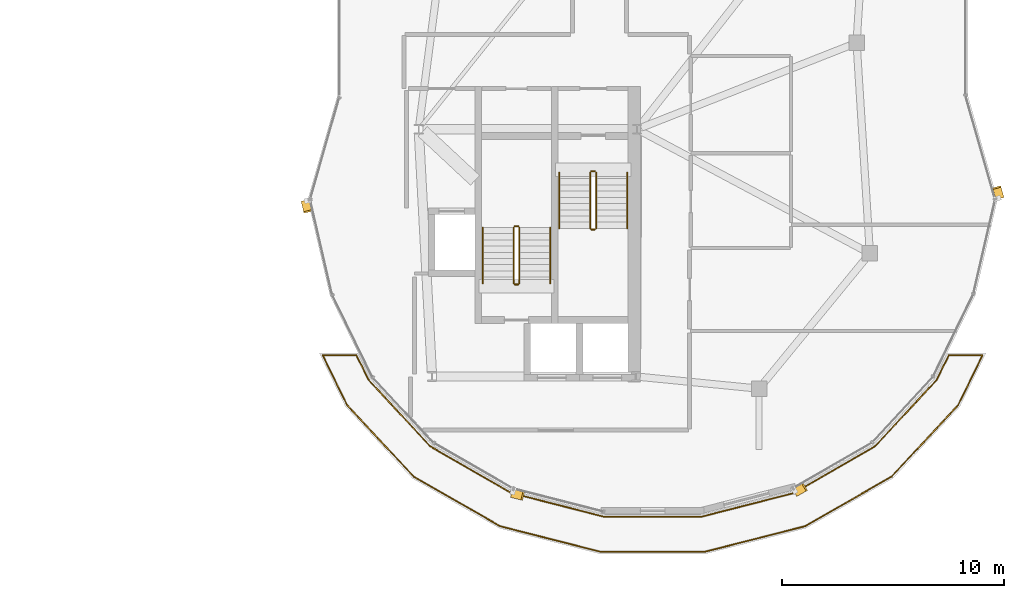
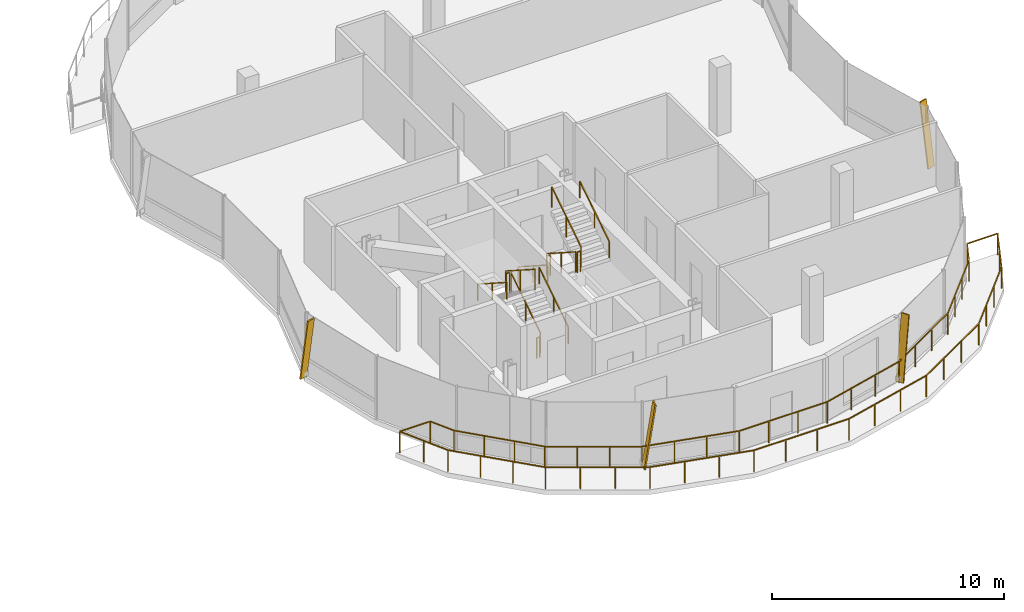
# One storey, part 19 of 20: 22 railings, 4 shading devices.
"""IFC4 building model written with IfcOpenShell, lengths in metres."""

from ifc_helpers import new_model, si_unit, direction, frame, origin, origin_2d, place, context, subcontext, project, spatial, rectangle, extrude, material, material_profile, profile_set, type_object, element, save


model = new_model("IFC4")

# Units and contexts
model_context = context("Model", 3, precision=1e-05, world=origin(), true_north=direction((0.0, 1.0)))
body_context = subcontext(model_context, "Body", "Model", "MODEL_VIEW")
ifc_project = project(units=[si_unit("LENGTHUNIT", "METRE"), si_unit("AREAUNIT", "SQUARE_METRE"), si_unit("VOLUMEUNIT", "CUBIC_METRE"), si_unit("PLANEANGLEUNIT", "RADIAN"), si_unit("MASSUNIT", "GRAM", prefix="KILO"), si_unit("THERMODYNAMICTEMPERATUREUNIT", "KELVIN"), si_unit("POWERUNIT", "WATT")], contexts=[model_context])

# Site, building, storey
site_placement = place(None, origin())
site = spatial("IfcSite", under=ifc_project, at=site_placement, CompositionType="ELEMENT")
building_placement = place(site_placement, origin())
building = spatial("IfcBuilding", under=site, at=building_placement, Name="Cundina Bronze Exchange", CompositionType="ELEMENT")
storey_placement = place(building_placement, frame((0.0, 0.0, 279.199951171875)))
storey = spatial("IfcBuildingStorey", under=building, at=storey_placement, Name="L74", CompositionType="ELEMENT", Elevation=279.199951171875)

# Railings
ifc_material_1 = material(Name="Anodised Bronze Aluminium 6063-T6", Category="aluminium")
railing_type_1 = type_object("IfcRailingType", Name="RLG-GRD-1150", PredefinedType="GUARDRAIL", material=ifc_material_1)
railing_1_placement = place(storey_placement, frame((45.775634765625, -16.34765625, 0.0)))
element("IfcRailing", 1, at=railing_1_placement, inside=storey, type_object=railing_type_1, Name="L74 Perimeter Safety Guardrail 01", PredefinedType="GUARDRAIL", context=body_context, shape_type="SweptSolid", body=[
    extrude(rectangle(XDim=0.048095703125, YDim=0.048095703125, at=origin_2d()), frame((0.0, 0.0, 1.1259765625), z_axis=(-0.6814708466, -0.731845260444, 0.0), x_axis=(0.731845260444, -0.6814708466, 0.0)), (0.0, 0.0, 1.0), 4.395751953125),
    extrude(rectangle(XDim=0.048095703125, YDim=0.048095703125, at=origin_2d()), frame((-2.99560546875, -3.217041015625, 1.1259765625), z_axis=(-0.867447732917, -0.497528321462, 0.0), x_axis=(0.497528321462, -0.867447732917, 0.0)), (0.0, 0.0, 1.0), 4.501708984375),
    extrude(rectangle(XDim=0.0419921875, YDim=0.0419921875, at=origin_2d()), origin(), (0.0, 0.0, 1.0), 1.101806640625),
    extrude(rectangle(XDim=0.0419921875, YDim=0.0419921875, at=origin_2d()), frame((-0.99853515625, -1.072265625, 0.0)), (0.0, 0.0, 1.0), 1.101806640625),
    extrude(rectangle(XDim=0.0419921875, YDim=0.0419921875, at=origin_2d()), frame((-1.9970703125, -2.144775390625, 0.0)), (0.0, 0.0, 1.0), 1.101806640625),
    extrude(rectangle(XDim=0.0419921875, YDim=0.0419921875, at=origin_2d()), frame((-2.99560546875, -3.217041015625, 0.0)), (0.0, 0.0, 1.0), 1.101806640625),
    extrude(rectangle(XDim=0.0419921875, YDim=0.0419921875, at=origin_2d()), frame((-4.29736328125, -3.963623046875, 0.0)), (0.0, 0.0, 1.0), 1.101806640625),
    extrude(rectangle(XDim=0.0419921875, YDim=0.0419921875, at=origin_2d()), frame((-5.598876953125, -4.710205078125, 0.0)), (0.0, 0.0, 1.0), 1.101806640625),
    extrude(rectangle(XDim=0.0419921875, YDim=0.0419921875, at=origin_2d()), frame((-6.900634765625, -5.456787109375, 0.0)), (0.0, 0.0, 1.0), 1.101806640625),
])
railing_2_placement = place(storey_placement, frame((38.875, -21.804443359375, 0.0)))
element("IfcRailing", 2, at=railing_2_placement, inside=storey, type_object=railing_type_1, Name="L74 Perimeter Safety Guardrail 02", PredefinedType="GUARDRAIL", context=body_context, shape_type="SweptSolid", body=[
    extrude(rectangle(XDim=0.048095703125, YDim=0.048095703125, at=origin_2d()), frame((0.0, 0.0, 1.1259765625), z_axis=(-0.969056834208, -0.246837703916, 0.0), x_axis=(0.246837703916, -0.969056834208, 0.0)), (0.0, 0.0, 1.0), 4.657470703125),
    extrude(rectangle(XDim=0.048095703125, YDim=0.048095703125, at=origin_2d()), frame((-4.513427734375, -1.149658203125, 1.1259765625), z_axis=(-1.0, 0.0, 0.0), x_axis=(0.0, -1.0, 0.0)), (0.0, 0.0, 1.0), 4.72314453125),
    extrude(rectangle(XDim=0.0419921875, YDim=0.0419921875, at=origin_2d()), origin(), (0.0, 0.0, 1.0), 1.101806640625),
    extrude(rectangle(XDim=0.0419921875, YDim=0.0419921875, at=origin_2d()), frame((-1.50439453125, -0.38330078125, 0.0)), (0.0, 0.0, 1.0), 1.101806640625),
    extrude(rectangle(XDim=0.0419921875, YDim=0.0419921875, at=origin_2d()), frame((-3.009033203125, -0.766357421875, 0.0)), (0.0, 0.0, 1.0), 1.101806640625),
    extrude(rectangle(XDim=0.0419921875, YDim=0.0419921875, at=origin_2d()), frame((-4.513427734375, -1.149658203125, 0.0)), (0.0, 0.0, 1.0), 1.101806640625),
    extrude(rectangle(XDim=0.0419921875, YDim=0.0419921875, at=origin_2d()), frame((-6.087890625, -1.149658203125, 0.0)), (0.0, 0.0, 1.0), 1.101806640625),
    extrude(rectangle(XDim=0.0419921875, YDim=0.0419921875, at=origin_2d()), frame((-7.662109375, -1.149658203125, 0.0)), (0.0, 0.0, 1.0), 1.101806640625),
    extrude(rectangle(XDim=0.0419921875, YDim=0.0419921875, at=origin_2d()), frame((-9.236572265625, -1.149658203125, 0.0)), (0.0, 0.0, 1.0), 1.101806640625),
])
railing_3_placement = place(storey_placement, frame((29.638427734375, -22.9541015625, 0.0)))
element("IfcRailing", 3, at=railing_3_placement, inside=storey, type_object=railing_type_1, Name="L74 Perimeter Safety Guardrail 03", PredefinedType="GUARDRAIL", context=body_context, shape_type="SweptSolid", body=[
    extrude(rectangle(XDim=0.048095703125, YDim=0.048095703125, at=origin_2d()), frame((0.0, 0.0, 1.1259765625), z_axis=(-0.969056834208, 0.246837703916, 0.0), x_axis=(-0.246837703916, -0.969056834208, 0.0)), (0.0, 0.0, 1.0), 4.657470703125),
    extrude(rectangle(XDim=0.048095703125, YDim=0.048095703125, at=origin_2d()), frame((-4.513427734375, 1.149658203125, 1.1259765625), z_axis=(-0.867447732917, 0.497528321462, 0.0), x_axis=(-0.497528321462, -0.867447732917, 0.0)), (0.0, 0.0, 1.0), 4.501708984375),
    extrude(rectangle(XDim=0.0419921875, YDim=0.0419921875, at=origin_2d()), origin(), (0.0, 0.0, 1.0), 1.101806640625),
    extrude(rectangle(XDim=0.0419921875, YDim=0.0419921875, at=origin_2d()), frame((-1.50439453125, 0.38330078125, 0.0)), (0.0, 0.0, 1.0), 1.101806640625),
    extrude(rectangle(XDim=0.0419921875, YDim=0.0419921875, at=origin_2d()), frame((-3.009033203125, 0.766357421875, 0.0)), (0.0, 0.0, 1.0), 1.101806640625),
    extrude(rectangle(XDim=0.0419921875, YDim=0.0419921875, at=origin_2d()), frame((-4.513427734375, 1.149658203125, 0.0)), (0.0, 0.0, 1.0), 1.101806640625),
    extrude(rectangle(XDim=0.0419921875, YDim=0.0419921875, at=origin_2d()), frame((-5.815185546875, 1.896240234375, 0.0)), (0.0, 0.0, 1.0), 1.101806640625),
    extrude(rectangle(XDim=0.0419921875, YDim=0.0419921875, at=origin_2d()), frame((-7.11669921875, 2.642822265625, 0.0)), (0.0, 0.0, 1.0), 1.101806640625),
    extrude(rectangle(XDim=0.0419921875, YDim=0.0419921875, at=origin_2d()), frame((-8.41845703125, 3.389404296875, 0.0)), (0.0, 0.0, 1.0), 1.101806640625),
])
railing_4_placement = place(storey_placement, frame((21.219970703125, -19.564697265625, 0.0)))
element("IfcRailing", 4, at=railing_4_placement, inside=storey, type_object=railing_type_1, Name="L74 Perimeter Safety Guardrail 04", PredefinedType="GUARDRAIL", context=body_context, shape_type="SweptSolid", body=[
    extrude(rectangle(XDim=0.048095703125, YDim=0.048095703125, at=origin_2d()), frame((0.0, 0.0, 1.1259765625), z_axis=(-0.6814708466, 0.731845260444, 0.0), x_axis=(-0.731845260444, -0.6814708466, 0.0)), (0.0, 0.0, 1.0), 4.395751953125),
    extrude(rectangle(XDim=0.048095703125, YDim=0.048095703125, at=origin_2d()), frame((-2.99560546875, 3.217041015625, 1.1259765625), z_axis=(-0.439469116008, 0.898257700259, 0.0), x_axis=(-0.898257700259, -0.439469116008, 0.0)), (0.0, 0.0, 1.0), 2.502197265625),
    extrude(rectangle(XDim=0.0419921875, YDim=0.0419921875, at=origin_2d()), origin(), (0.0, 0.0, 1.0), 1.101806640625),
    extrude(rectangle(XDim=0.0419921875, YDim=0.0419921875, at=origin_2d()), frame((-0.99853515625, 1.072265625, 0.0)), (0.0, 0.0, 1.0), 1.101806640625),
    extrude(rectangle(XDim=0.0419921875, YDim=0.0419921875, at=origin_2d()), frame((-1.9970703125, 2.144775390625, 0.0)), (0.0, 0.0, 1.0), 1.101806640625),
    extrude(rectangle(XDim=0.0419921875, YDim=0.0419921875, at=origin_2d()), frame((-2.99560546875, 3.217041015625, 0.0)), (0.0, 0.0, 1.0), 1.101806640625),
    extrude(rectangle(XDim=0.0419921875, YDim=0.0419921875, at=origin_2d()), frame((-3.54541015625, 4.3408203125, 0.0)), (0.0, 0.0, 1.0), 1.101806640625),
    extrude(rectangle(XDim=0.0419921875, YDim=0.0419921875, at=origin_2d()), frame((-4.09521484375, 5.464599609375, 0.0)), (0.0, 0.0, 1.0), 1.101806640625),
])
railing_5_placement = place(storey_placement, frame((17.124755859375, -14.10009765625, 0.0)))
element("IfcRailing", 5, at=railing_5_placement, inside=storey, type_object=railing_type_1, Name="L74 Perimeter Safety Guardrail 05", PredefinedType="GUARDRAIL", context=body_context, shape_type="SweptSolid", body=[
    extrude(rectangle(XDim=0.048095703125, YDim=0.048095703125, at=origin_2d()), frame((0.0, 0.0, 1.1259765625), z_axis=(1.0, 0.0, 0.0), x_axis=(0.0, 1.0, 0.0)), (0.0, 0.0, 1.0), 1.5185546875),
    extrude(rectangle(XDim=0.048095703125, YDim=0.048095703125, at=origin_2d()), frame((1.5185546875, 0.0, 1.1259765625), z_axis=(0.441657034824, -0.89718396307, 0.0), x_axis=(0.89718396307, 0.441657034824, 0.0)), (0.0, 0.0, 1.0), 1.232177734375),
    extrude(rectangle(XDim=0.0419921875, YDim=0.0419921875, at=origin_2d()), origin(), (0.0, 0.0, 1.0), 1.101806640625),
    extrude(rectangle(XDim=0.0419921875, YDim=0.0419921875, at=origin_2d()), frame((1.5185546875, 0.0, 0.0)), (0.0, 0.0, 1.0), 1.101806640625),
    extrude(rectangle(XDim=0.0419921875, YDim=0.0419921875, at=origin_2d()), frame((2.062744140625, -1.10546875, 0.0)), (0.0, 0.0, 1.0), 1.101806640625),
])
railing_6_placement = place(storey_placement, frame((19.1875, -15.20556640625, 0.0)))
element("IfcRailing", 6, at=railing_6_placement, inside=storey, type_object=railing_type_1, Name="L74 Perimeter Safety Guardrail 06", PredefinedType="GUARDRAIL", context=body_context, shape_type="SweptSolid", body=[
    extrude(rectangle(XDim=0.048095703125, YDim=0.048095703125, at=origin_2d()), frame((0.0, 0.0, 1.1259765625), z_axis=(0.680512906309, -0.732736094611, 0.0), x_axis=(0.732736094611, 0.680512906309, 0.0)), (0.0, 0.0, 1.0), 4.090576171875),
    extrude(rectangle(XDim=0.048095703125, YDim=0.048095703125, at=origin_2d()), frame((2.78369140625, -2.997314453125, 1.1259765625), z_axis=(0.866055627774, -0.49994764686, 0.0), x_axis=(0.49994764686, 0.866055627774, 0.0)), (0.0, 0.0, 1.0), 4.19189453125),
    extrude(rectangle(XDim=0.0419921875, YDim=0.0419921875, at=origin_2d()), origin(), (0.0, 0.0, 1.0), 1.101806640625),
    extrude(rectangle(XDim=0.0419921875, YDim=0.0419921875, at=origin_2d()), frame((0.927978515625, -0.9990234375, 0.0)), (0.0, 0.0, 1.0), 1.101806640625),
    extrude(rectangle(XDim=0.0419921875, YDim=0.0419921875, at=origin_2d()), frame((1.855712890625, -1.998291015625, 0.0)), (0.0, 0.0, 1.0), 1.101806640625),
    extrude(rectangle(XDim=0.0419921875, YDim=0.0419921875, at=origin_2d()), frame((2.78369140625, -2.997314453125, 0.0)), (0.0, 0.0, 1.0), 1.101806640625),
    extrude(rectangle(XDim=0.0419921875, YDim=0.0419921875, at=origin_2d()), frame((3.993896484375, -3.69580078125, 0.0)), (0.0, 0.0, 1.0), 1.101806640625),
    extrude(rectangle(XDim=0.0419921875, YDim=0.0419921875, at=origin_2d()), frame((5.203857421875, -4.39453125, 0.0)), (0.0, 0.0, 1.0), 1.101806640625),
    extrude(rectangle(XDim=0.0419921875, YDim=0.0419921875, at=origin_2d()), frame((6.4140625, -5.093017578125, 0.0)), (0.0, 0.0, 1.0), 1.101806640625),
])
railing_7_placement = place(storey_placement, frame((25.6015625, -20.298583984375, 0.0)))
element("IfcRailing", 7, at=railing_7_placement, inside=storey, type_object=railing_type_1, Name="L74 Perimeter Safety Guardrail 07", PredefinedType="GUARDRAIL", context=body_context, shape_type="SweptSolid", body=[
    extrude(rectangle(XDim=0.048095703125, YDim=0.048095703125, at=origin_2d()), frame((0.0, 0.0, 1.1259765625), z_axis=(0.968635825171, -0.248484684025, 0.0), x_axis=(0.248484684025, 0.968635825171, 0.0)), (0.0, 0.0, 1.0), 4.3515625),
    extrude(rectangle(XDim=0.048095703125, YDim=0.048095703125, at=origin_2d()), frame((4.215087890625, -1.081298828125, 1.1259765625), z_axis=(0.999999985988, 0.00016740137, 0.0), x_axis=(-0.00016740137, 0.999999985988, 0.0)), (0.0, 0.0, 1.0), 4.375244140625),
    extrude(rectangle(XDim=0.0419921875, YDim=0.0419921875, at=origin_2d()), origin(), (0.0, 0.0, 1.0), 1.101806640625),
    extrude(rectangle(XDim=0.0419921875, YDim=0.0419921875, at=origin_2d()), frame((1.405029296875, -0.3603515625, 0.0)), (0.0, 0.0, 1.0), 1.101806640625),
    extrude(rectangle(XDim=0.0419921875, YDim=0.0419921875, at=origin_2d()), frame((2.81005859375, -0.720947265625, 0.0)), (0.0, 0.0, 1.0), 1.101806640625),
    extrude(rectangle(XDim=0.0419921875, YDim=0.0419921875, at=origin_2d()), frame((4.215087890625, -1.081298828125, 0.0)), (0.0, 0.0, 1.0), 1.101806640625),
    extrude(rectangle(XDim=0.0419921875, YDim=0.0419921875, at=origin_2d()), frame((5.673583984375, -1.0810546875, 0.0)), (0.0, 0.0, 1.0), 1.101806640625),
    extrude(rectangle(XDim=0.0419921875, YDim=0.0419921875, at=origin_2d()), frame((7.1318359375, -1.080810546875, 0.0)), (0.0, 0.0, 1.0), 1.101806640625),
    extrude(rectangle(XDim=0.0419921875, YDim=0.0419921875, at=origin_2d()), frame((8.59033203125, -1.08056640625, 0.0)), (0.0, 0.0, 1.0), 1.101806640625),
])
railing_8_placement = place(storey_placement, frame((34.19189453125, -21.379150390625, 0.0)))
element("IfcRailing", 8, at=railing_8_placement, inside=storey, type_object=railing_type_1, Name="L74 Perimeter Safety Guardrail 08", PredefinedType="GUARDRAIL", context=body_context, shape_type="SweptSolid", body=[
    extrude(rectangle(XDim=0.048095703125, YDim=0.048095703125, at=origin_2d()), frame((0.0, 0.0, 1.1259765625), z_axis=(0.968729595543, 0.248118864093, 0.0), x_axis=(-0.248118864093, 0.968729595543, 0.0)), (0.0, 0.0, 1.0), 4.328369140625),
    extrude(rectangle(XDim=0.048095703125, YDim=0.048095703125, at=origin_2d()), frame((4.193115234375, 1.073974609375, 1.1259765625), z_axis=(0.86617495788, 0.499740875196, 0.0), x_axis=(-0.499740875196, 0.86617495788, 0.0)), (0.0, 0.0, 1.0), 4.206787109375),
    extrude(rectangle(XDim=0.0419921875, YDim=0.0419921875, at=origin_2d()), origin(), (0.0, 0.0, 1.0), 1.101806640625),
    extrude(rectangle(XDim=0.0419921875, YDim=0.0419921875, at=origin_2d()), frame((1.397705078125, 0.35791015625, 0.0)), (0.0, 0.0, 1.0), 1.101806640625),
    extrude(rectangle(XDim=0.0419921875, YDim=0.0419921875, at=origin_2d()), frame((2.79541015625, 0.716064453125, 0.0)), (0.0, 0.0, 1.0), 1.101806640625),
    extrude(rectangle(XDim=0.0419921875, YDim=0.0419921875, at=origin_2d()), frame((4.193115234375, 1.073974609375, 0.0)), (0.0, 0.0, 1.0), 1.101806640625),
    extrude(rectangle(XDim=0.0419921875, YDim=0.0419921875, at=origin_2d()), frame((5.40771484375, 1.774658203125, 0.0)), (0.0, 0.0, 1.0), 1.101806640625),
    extrude(rectangle(XDim=0.0419921875, YDim=0.0419921875, at=origin_2d()), frame((6.622314453125, 2.4755859375, 0.0)), (0.0, 0.0, 1.0), 1.101806640625),
    extrude(rectangle(XDim=0.0419921875, YDim=0.0419921875, at=origin_2d()), frame((7.8369140625, 3.17626953125, 0.0)), (0.0, 0.0, 1.0), 1.101806640625),
])
railing_9_placement = place(storey_placement, frame((42.02880859375, -18.202880859375, 0.0)))
element("IfcRailing", 9, at=railing_9_placement, inside=storey, type_object=railing_type_1, Name="L74 Perimeter Safety Guardrail 09", PredefinedType="GUARDRAIL", context=body_context, shape_type="SweptSolid", body=[
    extrude(rectangle(XDim=0.048095703125, YDim=0.048095703125, at=origin_2d()), frame((0.0, 0.0, 1.1259765625), z_axis=(0.680512906309, 0.732736094611, 0.0), x_axis=(-0.732736094611, 0.680512906309, 0.0)), (0.0, 0.0, 1.0), 4.090576171875),
    extrude(rectangle(XDim=0.048095703125, YDim=0.048095703125, at=origin_2d()), frame((2.78369140625, 2.997314453125, 1.1259765625), z_axis=(0.441657034824, 0.89718396307, 0.0), x_axis=(-0.89718396307, 0.441657034824, 0.0)), (0.0, 0.0, 1.0), 1.232177734375),
    extrude(rectangle(XDim=0.0419921875, YDim=0.0419921875, at=origin_2d()), origin(), (0.0, 0.0, 1.0), 1.101806640625),
    extrude(rectangle(XDim=0.0419921875, YDim=0.0419921875, at=origin_2d()), frame((0.927978515625, 0.9990234375, 0.0)), (0.0, 0.0, 1.0), 1.101806640625),
    extrude(rectangle(XDim=0.0419921875, YDim=0.0419921875, at=origin_2d()), frame((1.855712890625, 1.998291015625, 0.0)), (0.0, 0.0, 1.0), 1.101806640625),
    extrude(rectangle(XDim=0.0419921875, YDim=0.0419921875, at=origin_2d()), frame((2.78369140625, 2.997314453125, 0.0)), (0.0, 0.0, 1.0), 1.101806640625),
    extrude(rectangle(XDim=0.0419921875, YDim=0.0419921875, at=origin_2d()), frame((3.327880859375, 4.102783203125, 0.0)), (0.0, 0.0, 1.0), 1.101806640625),
])
railing_10_placement = place(storey_placement, frame((45.356689453125, -14.10009765625, 0.0)))
element("IfcRailing", 10, at=railing_10_placement, inside=storey, type_object=railing_type_1, Name="L74 Perimeter Safety Guardrail 10", PredefinedType="GUARDRAIL", context=body_context, shape_type="SweptSolid", body=[
    extrude(rectangle(XDim=0.048095703125, YDim=0.048095703125, at=origin_2d()), frame((0.0, 0.0, 1.1259765625), z_axis=(1.0, 0.0, 0.0), x_axis=(0.0, 1.0, 0.0)), (0.0, 0.0, 1.0), 1.5185546875),
    extrude(rectangle(XDim=0.048095703125, YDim=0.048095703125, at=origin_2d()), frame((1.5185546875, 0.0, 1.1259765625), z_axis=(-0.439469116008, -0.898257700259, 0.0), x_axis=(0.898257700259, -0.439469116008, 0.0)), (0.0, 0.0, 1.0), 2.502197265625),
    extrude(rectangle(XDim=0.0419921875, YDim=0.0419921875, at=origin_2d()), origin(), (0.0, 0.0, 1.0), 1.101806640625),
    extrude(rectangle(XDim=0.0419921875, YDim=0.0419921875, at=origin_2d()), frame((1.5185546875, 0.0, 0.0)), (0.0, 0.0, 1.0), 1.101806640625),
    extrude(rectangle(XDim=0.0419921875, YDim=0.0419921875, at=origin_2d()), frame((0.96875, -1.123779296875, 0.0)), (0.0, 0.0, 1.0), 1.101806640625),
    extrude(rectangle(XDim=0.0419921875, YDim=0.0419921875, at=origin_2d()), frame((0.4189453125, -2.24755859375, 0.0)), (0.0, 0.0, 1.0), 1.101806640625),
])
ifc_material_2 = material(Name="Steel ASTM A36 Painted", Category="steel")
railing_type_2 = type_object("IfcRailingType", Name="RLG-HND-900", PredefinedType="HANDRAIL", material=ifc_material_2)
railing_11_placement = place(storey_placement, frame((27.7900390625, -5.85009765625, 0.179931640625)))
element("IfcRailing", 11, at=railing_11_placement, inside=storey, type_object=railing_type_2, Name="L74 ST-E1 stair handrail 1", PredefinedType="HANDRAIL", context=body_context, shape_type="SweptSolid", body=[
    extrude(rectangle(XDim=0.048095703125, YDim=0.048095703125, at=origin_2d()), frame((0.0, 0.0, 0.8759765625), z_axis=(0.0, -0.841162588446, 0.540782303519), x_axis=(1.0, 0.0, 0.0)), (0.0, 0.0, 1.0), 2.995849609375),
    extrude(rectangle(XDim=0.0419921875, YDim=0.0419921875, at=origin_2d()), origin(), (0.0, 0.0, 1.0), 0.851806640625),
    extrude(rectangle(XDim=0.0419921875, YDim=0.0419921875, at=origin_2d()), frame((0.0, -1.260009765625, 0.81005859375)), (0.0, 0.0, 1.0), 0.851806640625),
    extrude(rectangle(XDim=0.0419921875, YDim=0.0419921875, at=origin_2d()), frame((0.0, -2.52001953125, 1.6201171875)), (0.0, 0.0, 1.0), 0.851806640625),
])
for number, where, name in (
    (12, (30.85009765625, -8.3701171875, 1.97998046875), "L74 ST-E1 stair handrail 2"),
    (13, (27.389892578125, -10.85009765625, 0.179931640625), "L74 ST-E2 stair handrail 1"),
):
    element("IfcRailing", number, at=place(storey_placement, frame(where)), inside=storey, type_object=railing_type_2, Name=name, PredefinedType="HANDRAIL", context=body_context, shape_type="SweptSolid", body=[
        extrude(rectangle(XDim=0.048095703125, YDim=0.048095703125, at=origin_2d()), frame((0.0, 0.0, 0.8759765625), z_axis=(0.0, 0.841162588446, 0.540782303519), x_axis=(-1.0, 0.0, 0.0)), (0.0, 0.0, 1.0), 2.995849609375),
        extrude(rectangle(XDim=0.0419921875, YDim=0.0419921875, at=origin_2d()), origin(), (0.0, 0.0, 1.0), 0.851806640625),
        extrude(rectangle(XDim=0.0419921875, YDim=0.0419921875, at=origin_2d()), frame((0.0, 1.260009765625, 0.81005859375)), (0.0, 0.0, 1.0), 0.851806640625),
        extrude(rectangle(XDim=0.0419921875, YDim=0.0419921875, at=origin_2d()), frame((0.0, 2.52001953125, 1.6201171875)), (0.0, 0.0, 1.0), 0.851806640625),
    ])
railing_12_placement = place(storey_placement, frame((24.330078125, -8.330078125, 1.97998046875)))
element("IfcRailing", 14, at=railing_12_placement, inside=storey, type_object=railing_type_2, Name="L74 ST-E2 stair handrail 2", PredefinedType="HANDRAIL", context=body_context, shape_type="SweptSolid", body=[
    extrude(rectangle(XDim=0.048095703125, YDim=0.048095703125, at=origin_2d()), frame((0.0, 0.0, 0.8759765625), z_axis=(0.0, -0.841162588446, 0.540782303519), x_axis=(1.0, 0.0, 0.0)), (0.0, 0.0, 1.0), 2.995849609375),
    extrude(rectangle(XDim=0.0419921875, YDim=0.0419921875, at=origin_2d()), origin(), (0.0, 0.0, 1.0), 0.851806640625),
    extrude(rectangle(XDim=0.0419921875, YDim=0.0419921875, at=origin_2d()), frame((0.0, -1.260009765625, 0.81005859375)), (0.0, 0.0, 1.0), 0.851806640625),
    extrude(rectangle(XDim=0.0419921875, YDim=0.0419921875, at=origin_2d()), frame((0.0, -2.52001953125, 1.6201171875)), (0.0, 0.0, 1.0), 0.851806640625),
])
railing_type_3 = type_object("IfcRailingType", Name="RLG-STG-1100", PredefinedType="GUARDRAIL", material=ifc_material_2)
railing_13_placement = place(storey_placement, frame((29.18994140625, -5.85009765625, 0.179931640625)))
element("IfcRailing", 15, at=railing_13_placement, inside=storey, type_object=railing_type_3, Name="L74 ST-E1 stair guard 1", PredefinedType="GUARDRAIL", context=body_context, shape_type="SweptSolid", body=[
    extrude(rectangle(XDim=0.048095703125, YDim=0.048095703125, at=origin_2d()), frame((0.0, 0.0, 1.076171875), z_axis=(0.0, -0.841162588446, 0.540782303519), x_axis=(1.0, 0.0, 0.0)), (0.0, 0.0, 1.0), 2.995849609375),
    extrude(rectangle(XDim=0.0419921875, YDim=0.0419921875, at=origin_2d()), origin(), (0.0, 0.0, 1.0), 1.052001953125),
    extrude(rectangle(XDim=0.0419921875, YDim=0.0419921875, at=origin_2d()), frame((0.0, -1.260009765625, 0.81005859375)), (0.0, 0.0, 1.0), 1.052001953125),
    extrude(rectangle(XDim=0.0419921875, YDim=0.0419921875, at=origin_2d()), frame((0.0, -2.52001953125, 1.6201171875)), (0.0, 0.0, 1.0), 1.052001953125),
])
railing_14_placement = place(storey_placement, frame((29.239990234375, -8.419921875, 1.800048828125)))
element("IfcRailing", 16, at=railing_14_placement, inside=storey, type_object=railing_type_3, Name="L74 ST-E1 stair guard 2", PredefinedType="GUARDRAIL", context=body_context, shape_type="SweptSolid", body=[
    extrude(rectangle(XDim=0.048095703125, YDim=0.048095703125, at=origin_2d()), frame((0.0, 0.0, 1.076171875), z_axis=(1.0, 0.0, 0.0), x_axis=(0.0, 1.0, 0.0)), (0.0, 0.0, 1.0), 0.159912109375),
    extrude(rectangle(XDim=0.0419921875, YDim=0.0419921875, at=origin_2d()), origin(), (0.0, 0.0, 1.0), 1.052001953125),
    extrude(rectangle(XDim=0.0419921875, YDim=0.0419921875, at=origin_2d()), frame((0.159912109375, 0.0, 0.0)), (0.0, 0.0, 1.0), 1.052001953125),
])
railing_15_placement = place(storey_placement, frame((29.449951171875, -8.3701171875, 1.97998046875)))
element("IfcRailing", 17, at=railing_15_placement, inside=storey, type_object=railing_type_3, Name="L74 ST-E1 stair guard 3", PredefinedType="GUARDRAIL", context=body_context, shape_type="SweptSolid", body=[
    extrude(rectangle(XDim=0.048095703125, YDim=0.048095703125, at=origin_2d()), frame((0.0, 0.0, 1.076171875), z_axis=(0.0, 0.841162588446, 0.540782303519), x_axis=(-1.0, 0.0, 0.0)), (0.0, 0.0, 1.0), 2.995849609375),
    extrude(rectangle(XDim=0.0419921875, YDim=0.0419921875, at=origin_2d()), origin(), (0.0, 0.0, 1.0), 1.052001953125),
    extrude(rectangle(XDim=0.0419921875, YDim=0.0419921875, at=origin_2d()), frame((0.0, 1.260009765625, 0.81005859375)), (0.0, 0.0, 1.0), 1.052001953125),
    extrude(rectangle(XDim=0.0419921875, YDim=0.0419921875, at=origin_2d()), frame((0.0, 2.52001953125, 1.6201171875)), (0.0, 0.0, 1.0), 1.052001953125),
])
railing_16_placement = place(storey_placement, frame((29.239990234375, -5.800048828125, 0.0)))
element("IfcRailing", 18, at=railing_16_placement, inside=storey, type_object=railing_type_3, Name="L74 ST-E1 stair guard 4", PredefinedType="GUARDRAIL", context=body_context, shape_type="SweptSolid", body=[
    extrude(rectangle(XDim=0.048095703125, YDim=0.048095703125, at=origin_2d()), frame((0.0, 0.0, 1.076171875), z_axis=(1.0, 0.0, 0.0), x_axis=(0.0, 1.0, 0.0)), (0.0, 0.0, 1.0), 0.159912109375),
    extrude(rectangle(XDim=0.0419921875, YDim=0.0419921875, at=origin_2d()), origin(), (0.0, 0.0, 1.0), 1.052001953125),
    extrude(rectangle(XDim=0.0419921875, YDim=0.0419921875, at=origin_2d()), frame((0.159912109375, 0.0, 0.0)), (0.0, 0.0, 1.0), 1.052001953125),
])
railing_17_placement = place(storey_placement, frame((25.989990234375, -10.85009765625, 0.179931640625)))
element("IfcRailing", 19, at=railing_17_placement, inside=storey, type_object=railing_type_3, Name="L74 ST-E2 stair guard 1", PredefinedType="GUARDRAIL", context=body_context, shape_type="SweptSolid", body=[
    extrude(rectangle(XDim=0.048095703125, YDim=0.048095703125, at=origin_2d()), frame((0.0, 0.0, 1.076171875), z_axis=(0.0, 0.841162588446, 0.540782303519), x_axis=(-1.0, 0.0, 0.0)), (0.0, 0.0, 1.0), 2.995849609375),
    extrude(rectangle(XDim=0.0419921875, YDim=0.0419921875, at=origin_2d()), origin(), (0.0, 0.0, 1.0), 1.052001953125),
    extrude(rectangle(XDim=0.0419921875, YDim=0.0419921875, at=origin_2d()), frame((0.0, 1.260009765625, 0.81005859375)), (0.0, 0.0, 1.0), 1.052001953125),
    extrude(rectangle(XDim=0.0419921875, YDim=0.0419921875, at=origin_2d()), frame((0.0, 2.52001953125, 1.6201171875)), (0.0, 0.0, 1.0), 1.052001953125),
])
railing_18_placement = place(storey_placement, frame((25.93994140625, -8.280029296875, 1.800048828125)))
element("IfcRailing", 20, at=railing_18_placement, inside=storey, type_object=railing_type_3, Name="L74 ST-E2 stair guard 2", PredefinedType="GUARDRAIL", context=body_context, shape_type="SweptSolid", body=[
    extrude(rectangle(XDim=0.048095703125, YDim=0.048095703125, at=origin_2d()), frame((0.0, 0.0, 1.076171875), z_axis=(-1.0, 0.0, 0.0), x_axis=(0.0, -1.0, 0.0)), (0.0, 0.0, 1.0), 0.159912109375),
    extrude(rectangle(XDim=0.0419921875, YDim=0.0419921875, at=origin_2d()), origin(), (0.0, 0.0, 1.0), 1.052001953125),
    extrude(rectangle(XDim=0.0419921875, YDim=0.0419921875, at=origin_2d()), frame((-0.159912109375, 0.0, 0.0)), (0.0, 0.0, 1.0), 1.052001953125),
])
railing_19_placement = place(storey_placement, frame((25.72998046875, -8.330078125, 1.97998046875)))
element("IfcRailing", 21, at=railing_19_placement, inside=storey, type_object=railing_type_3, Name="L74 ST-E2 stair guard 3", PredefinedType="GUARDRAIL", context=body_context, shape_type="SweptSolid", body=[
    extrude(rectangle(XDim=0.048095703125, YDim=0.048095703125, at=origin_2d()), frame((0.0, 0.0, 1.076171875), z_axis=(0.0, -0.841162588446, 0.540782303519), x_axis=(1.0, 0.0, 0.0)), (0.0, 0.0, 1.0), 2.995849609375),
    extrude(rectangle(XDim=0.0419921875, YDim=0.0419921875, at=origin_2d()), origin(), (0.0, 0.0, 1.0), 1.052001953125),
    extrude(rectangle(XDim=0.0419921875, YDim=0.0419921875, at=origin_2d()), frame((0.0, -1.260009765625, 0.81005859375)), (0.0, 0.0, 1.0), 1.052001953125),
    extrude(rectangle(XDim=0.0419921875, YDim=0.0419921875, at=origin_2d()), frame((0.0, -2.52001953125, 1.6201171875)), (0.0, 0.0, 1.0), 1.052001953125),
])
railing_20_placement = place(storey_placement, frame((25.93994140625, -10.89990234375, 0.0)))
element("IfcRailing", 22, at=railing_20_placement, inside=storey, type_object=railing_type_3, Name="L74 ST-E2 stair guard 4", PredefinedType="GUARDRAIL", context=body_context, shape_type="SweptSolid", body=[
    extrude(rectangle(XDim=0.048095703125, YDim=0.048095703125, at=origin_2d()), frame((0.0, 0.0, 1.076171875), z_axis=(-1.0, 0.0, 0.0), x_axis=(0.0, -1.0, 0.0)), (0.0, 0.0, 1.0), 0.159912109375),
    extrude(rectangle(XDim=0.0419921875, YDim=0.0419921875, at=origin_2d()), origin(), (0.0, 0.0, 1.0), 1.052001953125),
    extrude(rectangle(XDim=0.0419921875, YDim=0.0419921875, at=origin_2d()), frame((-0.159912109375, 0.0, 0.0)), (0.0, 0.0, 1.0), 1.052001953125),
])

# Shading devices
ifc_material_profile = material_profile(ifc_material_1, rectangle(XDim=0.070068359375, YDim=0.3798828125, at=origin_2d()), Name="FIN70X380", Category="aluminium")
ifc_profile_set = profile_set([ifc_material_profile], Name="Anodised Bronze Aluminium 6063-T6")
shading_device_type = type_object("IfcShadingDeviceType", Name="SHD-FIN-BRZ380", PredefinedType="USERDEFINED", material=ifc_profile_set)
for number, where, z_axis, x_axis, name in (
    (23, (16.33935546875, -7.139404296875, 0.02001953125), (0.032432105635, -0.140270687124, 0.989581877794), (-0.222921135914, 0.964146493029, 0.143971202475), "L74 Diagonal Bronze Solar Fin 1"),
    (24, (25.67333984375, -20.326416015625, 0.02001953125), (0.139393638762, -0.035726941027, 0.989592339884), (-0.958607184248, 0.245693437979, 0.143899273252), "L74 Diagonal Bronze Solar Fin 5"),
    (25, (38.440185546875, -20.2802734375, 0.02001953125), (0.12474991864, 0.07189226532, 0.989580193813), (-0.857394553809, -0.49410883324, 0.143982776795), "L74 Diagonal Bronze Solar Fin 1"),
    (26, (47.656982421875, -6.9912109375, 0.02001953125), (-0.039533874131, 0.138368559458, 0.989591438195), (0.271861676059, -0.951515866205, 0.14390547401), "L74 Diagonal Bronze Solar Fin 5"),
):
    element("IfcShadingDevice", number, at=place(storey_placement, frame(where, z_axis=z_axis, x_axis=x_axis)), inside=storey, type_object=shading_device_type, Name=name, ObjectType="FIN", PredefinedType="USERDEFINED", context=body_context, shape_type="SweptSolid", body=[
        extrude(rectangle(XDim=0.070068359375, YDim=0.3798828125, at=origin_2d()), origin(), (0.0, 0.0, 1.0), 3.334716796875),
    ])

save(model, "model.ifc")
